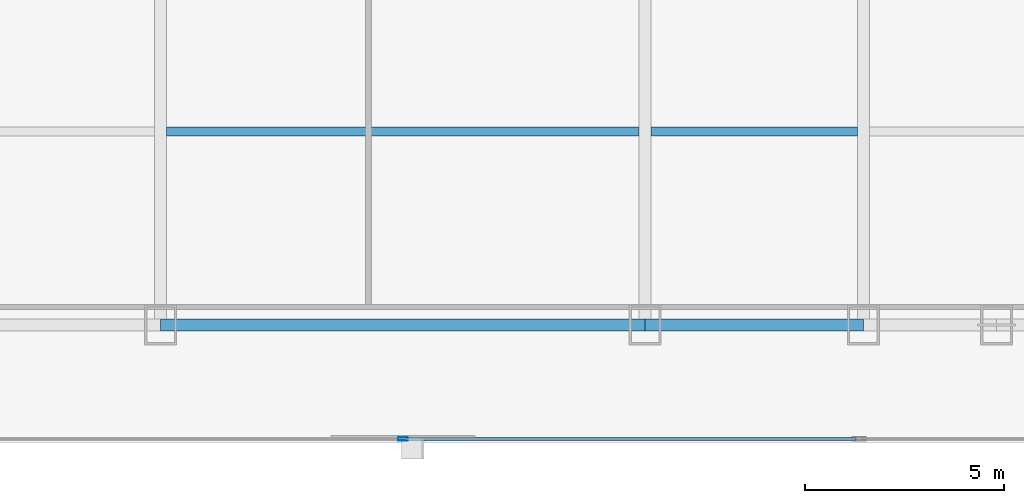
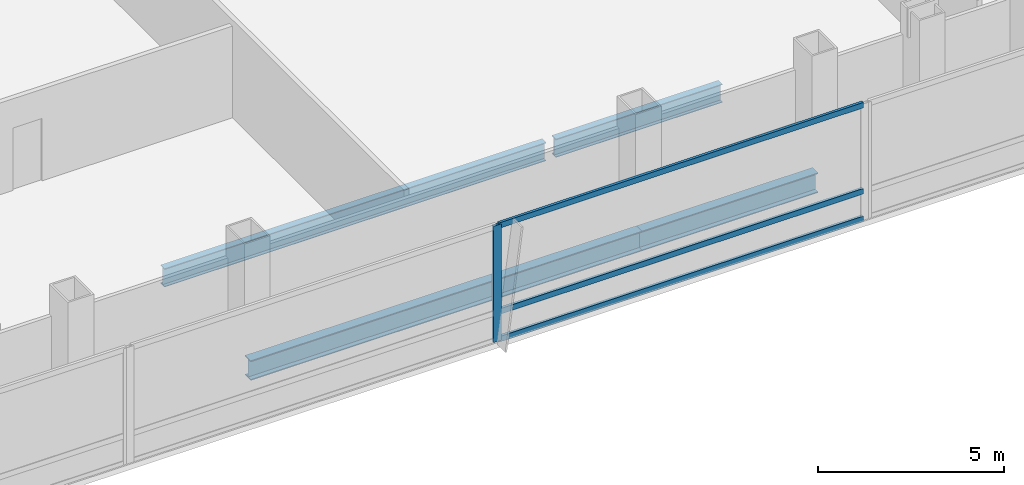
# One storey, part 12 of 37: 4 beams, 4 members, 1 element without a shape of its own.
"""IFC4 building model written with IfcOpenShell, lengths in metres."""

from ifc_helpers import new_model, si_unit, direction, frame, origin, origin_2d, place, context, subcontext, project, spatial, hollow_rectangle, i_section, extrude, material, material_profile, profile_set, type_object, element, aggregate, save


model = new_model("IFC4")

# Units and contexts
model_context = context("Model", 3, precision=1e-05, world=origin(), true_north=direction((0.0, 1.0)))
body_context = subcontext(model_context, "Body", "Model", "MODEL_VIEW")
ifc_project = project(units=[si_unit("LENGTHUNIT", "METRE"), si_unit("AREAUNIT", "SQUARE_METRE"), si_unit("VOLUMEUNIT", "CUBIC_METRE"), si_unit("PLANEANGLEUNIT", "RADIAN"), si_unit("MASSUNIT", "GRAM", prefix="KILO")], contexts=[model_context])

# Site, building, storey
site_placement = place(None, origin())
site = spatial("IfcSite", under=ifc_project, at=site_placement, CompositionType="ELEMENT")
building_placement = place(site_placement, origin())
building = spatial("IfcBuilding", under=site, at=building_placement, Name="Khoronbel Lancet Exchange", CompositionType="ELEMENT")
storey_placement = place(building_placement, frame((0.0, 0.0, 45.800048828125)))
storey = spatial("IfcBuildingStorey", under=building, at=storey_placement, Name="L10", CompositionType="ELEMENT", Elevation=45.800048828125)

# Beams
ifc_material_1 = material(Name="Steel S355", Category="steel")
ifc_material_profile_1 = material_profile(ifc_material_1, i_section(OverallWidth=0.219970703125, OverallDepth=0.60009765625, WebThickness=0.011962890625, FlangeThickness=0.01904296875, at=origin_2d()), Name="IPE 600")
ifc_profile_set_1 = profile_set([ifc_material_profile_1], Name="Steel S355")
beam_type_1 = type_object("IfcBeamType", Name="BM-BJ1", PredefinedType="JOIST", material=ifc_profile_set_1)
beam_1_placement = place(storey_placement, frame((30.52490234375, 15.0, -0.47998046875), z_axis=(1.0, 0.0, 0.0), x_axis=(0.0, 1.0, 0.0)))
element("IfcBeam", 1, at=beam_1_placement, inside=storey, type_object=beam_type_1, Name="Level L10 secondary composite joist J03", PredefinedType="JOIST", context=body_context, shape_type="SweptSolid", body=[
    extrude(i_section(OverallWidth=0.219970703125, OverallDepth=0.60009765625, WebThickness=0.011962890625, FlangeThickness=0.01904296875, at=origin_2d()), origin(), (0.0, 0.0, 1.0), 11.85009765625),
])
beam_2_placement = place(storey_placement, frame((42.675048828125, 15.0, -0.47998046875), z_axis=(1.0, 0.0, 0.0), x_axis=(0.0, 1.0, 0.0)))
element("IfcBeam", 2, at=beam_2_placement, inside=storey, type_object=beam_type_1, Name="Level L10 secondary composite joist J04", PredefinedType="JOIST", context=body_context, shape_type="SweptSolid", body=[
    extrude(i_section(OverallWidth=0.219970703125, OverallDepth=0.60009765625, WebThickness=0.011962890625, FlangeThickness=0.01904296875, at=origin_2d()), origin(), (0.0, 0.0, 1.0), 5.175048828125),
])
ifc_material_profile_2 = material_profile(ifc_material_1, i_section(OverallWidth=0.300048828125, OverallDepth=0.64990234375, WebThickness=0.01611328125, FlangeThickness=0.031005859375, at=origin_2d()), Name="HEB 650")
ifc_profile_set_2 = profile_set([ifc_material_profile_2], Name="Steel S355")
beam_type_2 = type_object("IfcBeamType", Name="BM-BSP1", PredefinedType="SPANDREL", material=ifc_profile_set_2)
beam_3_placement = place(storey_placement, frame((30.375, 10.14990234375, -0.505126953125), z_axis=(1.0, 0.0, 0.0), x_axis=(0.0, 1.0, 0.0)))
element("IfcBeam", 3, at=beam_3_placement, inside=storey, type_object=beam_type_2, Name="Level L10 perimeter spandrel beam SP05", PredefinedType="SPANDREL", context=body_context, shape_type="SweptSolid", body=[
    extrude(i_section(OverallWidth=0.300048828125, OverallDepth=0.64990234375, WebThickness=0.01611328125, FlangeThickness=0.031005859375, at=origin_2d()), origin(), (0.0, 0.0, 1.0), 12.14990234375),
])
beam_4_placement = place(storey_placement, frame((42.52490234375, 10.14990234375, -0.505126953125), z_axis=(1.0, 0.0, 0.0), x_axis=(0.0, 1.0, 0.0)))
element("IfcBeam", 4, at=beam_4_placement, inside=storey, type_object=beam_type_2, Name="Level L10 perimeter spandrel beam SP06", PredefinedType="SPANDREL", context=body_context, shape_type="SweptSolid", body=[
    extrude(i_section(OverallWidth=0.300048828125, OverallDepth=0.64990234375, WebThickness=0.01611328125, FlangeThickness=0.031005859375, at=origin_2d()), origin(), (0.0, 0.0, 1.0), 5.47509765625),
])

# Curtain wall, members
ifc_material_2 = material(Name="Low-E Solar Control Insulating Glass", Category="glass")
curtain_wall_type = type_object("IfcCurtainWallType", Name="CW-1", PredefinedType="NOTDEFINED", material=ifc_material_2)
curtain_wall_placement = place(storey_placement, origin())
curtain_wall = element("IfcCurtainWall", 5, at=curtain_wall_placement, inside=storey, type_object=curtain_wall_type, Name="Unitised curtain wall CW-L10-SCV", PredefinedType="NOTDEFINED")
ifc_material_3 = material(Name="Bronze-Anodised Aluminium 6063-T6", Category="aluminium")
ifc_material_profile_3 = material_profile(ifc_material_3, hollow_rectangle(XDim=0.0849609375, YDim=0.239990234375, WallThickness=0.006103515625, at=origin_2d()), Name="ALU MULLION 85x240")
ifc_profile_set_3 = profile_set([ifc_material_profile_3], Name="Bronze-Anodised Aluminium 6063-T6")
member_type_1 = type_object("IfcMemberType", Name="MEM-CWM1", PredefinedType="MULLION", material=ifc_profile_set_3)
member_1_placement = place(storey_placement, frame((36.449951171875, 7.2900390625, 0.0), z_axis=(0.0, 0.0, 1.0), x_axis=(0.0, 1.0, 0.0)))
member_1 = element("IfcMember", 6, at=member_1_placement, type_object=member_type_1, Name="CW1 mullion 2", PredefinedType="MULLION", context=body_context, shape_type="SweptSolid", body=[
    extrude(hollow_rectangle(XDim=0.0849609375, YDim=0.239990234375, WallThickness=0.006103515625, at=origin_2d()), origin(), (0.0, 0.0, 1.0), 3.820068359375),
])
ifc_material_profile_4 = material_profile(ifc_material_3, hollow_rectangle(XDim=0.0849609375, YDim=0.179931640625, WallThickness=0.0048828125, at=origin_2d()), Name="ALU TRANSOM 85x180")
ifc_profile_set_4 = profile_set([ifc_material_profile_4], Name="Bronze-Anodised Aluminium 6063-T6")
member_type_2 = type_object("IfcMemberType", Name="MEM-CWT1", PredefinedType="USERDEFINED", material=ifc_profile_set_4)
member_2_placement = place(storey_placement, frame((36.492431640625, 7.2900390625, 0.04248046875), z_axis=(1.0, 0.0, 0.0), x_axis=(0.0, 1.0, 0.0)))
member_2 = element("IfcMember", 7, at=member_2_placement, type_object=member_type_2, Name="CW1 transom 2.1", ObjectType="TRANSOM", PredefinedType="USERDEFINED", context=body_context, shape_type="SweptSolid", body=[
    extrude(hollow_rectangle(XDim=0.0849609375, YDim=0.179931640625, WallThickness=0.0048828125, at=origin_2d()), origin(), (0.0, 0.0, 1.0), 11.322509765625),
])
member_3_placement = place(storey_placement, frame((36.492431640625, 7.2900390625, 0.949951171875), z_axis=(1.0, 0.0, 0.0), x_axis=(0.0, 1.0, 0.0)))
member_3 = element("IfcMember", 8, at=member_3_placement, type_object=member_type_2, Name="CW1 transom 2.2", ObjectType="TRANSOM", PredefinedType="USERDEFINED", context=body_context, shape_type="SweptSolid", body=[
    extrude(hollow_rectangle(XDim=0.0849609375, YDim=0.179931640625, WallThickness=0.0048828125, at=origin_2d()), origin(), (0.0, 0.0, 1.0), 11.322509765625),
])
member_4_placement = place(storey_placement, frame((36.492431640625, 7.2900390625, 3.77734375), z_axis=(1.0, 0.0, 0.0), x_axis=(0.0, 1.0, 0.0)))
member_4 = element("IfcMember", 9, at=member_4_placement, type_object=member_type_2, Name="CW1 transom 2.3", ObjectType="TRANSOM", PredefinedType="USERDEFINED", context=body_context, shape_type="SweptSolid", body=[
    extrude(hollow_rectangle(XDim=0.0849609375, YDim=0.179931640625, WallThickness=0.0048828125, at=origin_2d()), origin(), (0.0, 0.0, 1.0), 11.322509765625),
])
aggregate(curtain_wall, [member_1, member_2, member_3, member_4])

save(model, "model.ifc")
